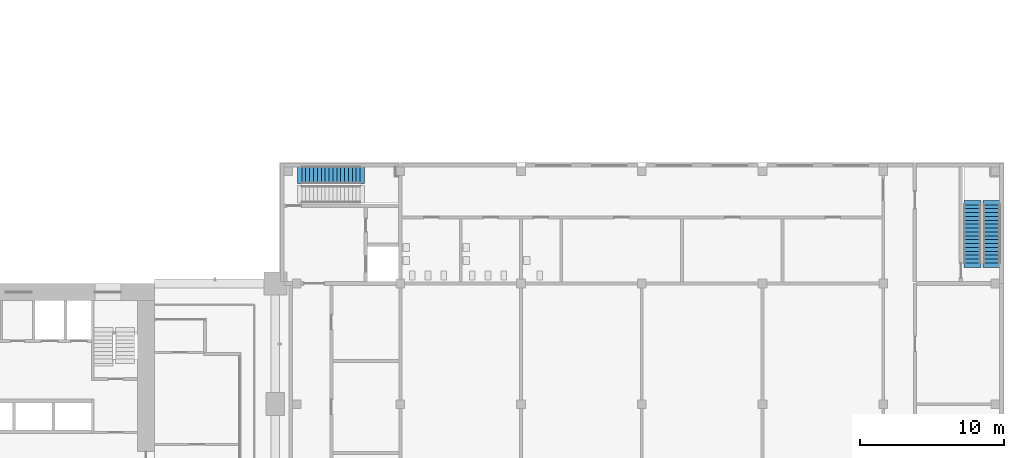
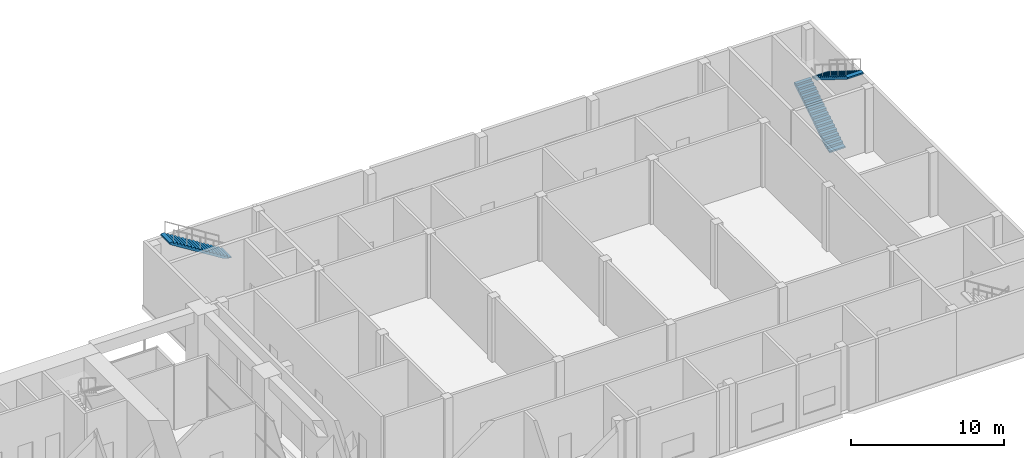
# One storey, part 24 of 33: 3 stair flights, 2 elements without a shape of their own.
"""IFC4 building model written with IfcOpenShell, lengths in metres."""

from ifc_helpers import new_model, si_unit, direction, frame, origin, place, context, subcontext, project, spatial, polyline, outline, extrude, material, type_object, element, aggregate, save


model = new_model("IFC4")

# Units and contexts
model_context = context("Model", 3, precision=1e-05, world=origin(), true_north=direction((0.0, 1.0)))
body_context = subcontext(model_context, "Body", "Model", "MODEL_VIEW")
ifc_project = project(units=[si_unit("LENGTHUNIT", "METRE"), si_unit("AREAUNIT", "SQUARE_METRE"), si_unit("VOLUMEUNIT", "CUBIC_METRE"), si_unit("PLANEANGLEUNIT", "RADIAN"), si_unit("MASSUNIT", "GRAM", prefix="KILO")], contexts=[model_context])

# Site, building, storey
site_placement = place(None, origin())
site = spatial("IfcSite", under=ifc_project, at=site_placement, CompositionType="ELEMENT")
building_placement = place(site_placement, origin())
building = spatial("IfcBuilding", under=site, at=building_placement, Name="Vermilion Gate Residences", CompositionType="ELEMENT")
storey_placement = place(building_placement, frame((0.0, 0.0, 14.39990234375)))
storey = spatial("IfcBuildingStorey", under=building, at=storey_placement, Name="L02", CompositionType="ELEMENT", Elevation=14.39990234375)

# Stair, stair flight
ifc_material_1 = material(Name="Concrete C35", Category="concrete")
stair_type = type_object("IfcStairType", Name="RC STAIR 1200 (MARKET HALL)", PredefinedType="HALF_TURN_STAIR", material=ifc_material_1)
stair_1_placement = place(storey_placement, origin())
stair_1 = element("IfcStair", 1, at=stair_1_placement, inside=storey, type_object=stair_type, Name="Stair STH1-02", PredefinedType="HALF_TURN_STAIR")
ifc_material_2 = material(Name="Concrete C35", Category="concrete")
stair_flight_type = type_object("IfcStairFlightType", Name="RC STAIR FLIGHT 1200 (MARKET HALL)", PredefinedType="STRAIGHT", material=ifc_material_2)
stair_flight_1_placement = place(storey_placement, frame((73.10009765625, 32.75, 2.7001953125), z_axis=(0.0, 0.0, 1.0), x_axis=(-1.0, 0.0, 0.0)))
stair_flight_1 = element("IfcStairFlight", 2, at=stair_flight_1_placement, type_object=stair_flight_type, Name="STH1-02 flight 2", NumberOfRisers=16, NumberOfTreads=15, PredefinedType="STRAIGHT", RiserHeight=0.16875, TreadLength=0.27, context=body_context, shape_type="SweptSolid", body=[
    extrude(outline(polyline([(-0.300048828125, -0.14990234375), (-0.300048828125, -0.030029296875), (0.0, 0.0), (0.0, 0.168701171875), (0.27001953125, 0.168701171875), (0.27001953125, 0.33740234375), (0.5400390625, 0.33740234375), (0.5400390625, 0.50634765625), (0.81005859375, 0.50634765625), (0.81005859375, 0.675048828125), (1.080078125, 0.675048828125), (1.080078125, 0.84375), (1.35009765625, 0.84375), (1.35009765625, 1.012451171875), (1.6201171875, 1.012451171875), (1.6201171875, 1.18115234375), (1.889892578125, 1.18115234375), (1.889892578125, 1.35009765625), (2.159912109375, 1.35009765625), (2.159912109375, 1.518798828125), (2.429931640625, 1.518798828125), (2.429931640625, 1.6875), (2.699951171875, 1.6875), (2.699951171875, 1.856201171875), (2.969970703125, 1.856201171875), (2.969970703125, 2.02490234375), (3.239990234375, 2.02490234375), (3.239990234375, 2.19384765625), (3.510009765625, 2.19384765625), (3.510009765625, 2.362548828125), (3.780029296875, 2.362548828125), (3.780029296875, 2.53125), (4.050048828125, 2.53125), (4.050048828125, 2.699951171875), (4.35009765625, 2.669921875), (4.35009765625, 2.550048828125), (4.050048828125, 2.3544921875), (0.28271484375, 0.0), (-0.300048828125, -0.14990234375)])), frame((0.0, 0.60009765625, 0.0), z_axis=(0.0, -1.0, 0.0), x_axis=(1.0, 0.0, 0.0)), (0.0, 0.0, 1.0), 1.199951171875),
])
aggregate(stair_1, [stair_flight_1])

# Stair, stair flights
stair_2_placement = place(storey_placement, origin())
stair_2 = element("IfcStair", 3, at=stair_2_placement, inside=storey, type_object=stair_type, Name="Stair STH3-02", PredefinedType="HALF_TURN_STAIR")
stair_flight_2_placement = place(storey_placement, frame((115.699951171875, 26.625, 0.0), z_axis=(0.0, 0.0, 1.0), x_axis=(0.0, 1.0, 0.0)))
stair_flight_2 = element("IfcStairFlight", 4, at=stair_flight_2_placement, type_object=stair_flight_type, Name="STH3-02 flight 1", NumberOfRisers=16, NumberOfTreads=15, PredefinedType="STRAIGHT", RiserHeight=0.16875, TreadLength=0.27, context=body_context, shape_type="SweptSolid", body=[
    extrude(outline(polyline([(-0.300048828125, -0.14990234375), (-0.300048828125, -0.030029296875), (0.0, 0.0), (0.0, 0.168701171875), (0.27001953125, 0.168701171875), (0.27001953125, 0.33740234375), (0.5400390625, 0.33740234375), (0.5400390625, 0.50634765625), (0.81005859375, 0.50634765625), (0.81005859375, 0.675048828125), (1.080078125, 0.675048828125), (1.080078125, 0.84375), (1.35009765625, 0.84375), (1.35009765625, 1.012451171875), (1.6201171875, 1.012451171875), (1.6201171875, 1.18115234375), (1.889892578125, 1.18115234375), (1.889892578125, 1.35009765625), (2.159912109375, 1.35009765625), (2.159912109375, 1.518798828125), (2.429931640625, 1.518798828125), (2.429931640625, 1.6875), (2.699951171875, 1.6875), (2.699951171875, 1.856201171875), (2.969970703125, 1.856201171875), (2.969970703125, 2.02490234375), (3.239990234375, 2.02490234375), (3.239990234375, 2.19384765625), (3.510009765625, 2.19384765625), (3.510009765625, 2.362548828125), (3.780029296875, 2.362548828125), (3.780029296875, 2.53125), (4.050048828125, 2.53125), (4.050048828125, 2.699951171875), (4.35009765625, 2.669921875), (4.35009765625, 2.550048828125), (4.050048828125, 2.3544921875), (0.28271484375, 0.0), (-0.300048828125, -0.14990234375)])), frame((0.0, 0.60009765625, 0.0), z_axis=(0.0, -1.0, 0.0), x_axis=(1.0, 0.0, 0.0)), (0.0, 0.0, 1.0), 1.199951171875),
])
stair_flight_3_placement = place(storey_placement, frame((117.050048828125, 30.675048828125, 2.7001953125), z_axis=(0.0, 0.0, 1.0), x_axis=(0.0, -1.0, 0.0)))
stair_flight_3 = element("IfcStairFlight", 5, at=stair_flight_3_placement, type_object=stair_flight_type, Name="STH3-02 flight 2", NumberOfRisers=16, NumberOfTreads=15, PredefinedType="STRAIGHT", RiserHeight=0.16875, TreadLength=0.27, context=body_context, shape_type="SweptSolid", body=[
    extrude(outline(polyline([(-0.300048828125, -0.14990234375), (-0.300048828125, -0.030029296875), (0.0, 0.0), (0.0, 0.168701171875), (0.27001953125, 0.168701171875), (0.27001953125, 0.33740234375), (0.5400390625, 0.33740234375), (0.5400390625, 0.50634765625), (0.81005859375, 0.50634765625), (0.81005859375, 0.675048828125), (1.080078125, 0.675048828125), (1.080078125, 0.84375), (1.35009765625, 0.84375), (1.35009765625, 1.012451171875), (1.6201171875, 1.012451171875), (1.6201171875, 1.18115234375), (1.889892578125, 1.18115234375), (1.889892578125, 1.35009765625), (2.159912109375, 1.35009765625), (2.159912109375, 1.518798828125), (2.429931640625, 1.518798828125), (2.429931640625, 1.6875), (2.699951171875, 1.6875), (2.699951171875, 1.856201171875), (2.969970703125, 1.856201171875), (2.969970703125, 2.02490234375), (3.239990234375, 2.02490234375), (3.239990234375, 2.19384765625), (3.510009765625, 2.19384765625), (3.510009765625, 2.362548828125), (3.780029296875, 2.362548828125), (3.780029296875, 2.53125), (4.050048828125, 2.53125), (4.050048828125, 2.699951171875), (4.35009765625, 2.669921875), (4.35009765625, 2.550048828125), (4.050048828125, 2.3544921875), (0.28271484375, 0.0), (-0.300048828125, -0.14990234375)])), frame((0.0, 0.60009765625, 0.0), z_axis=(0.0, -1.0, 0.0), x_axis=(1.0, 0.0, 0.0)), (0.0, 0.0, 1.0), 1.199951171875),
])
aggregate(stair_2, [stair_flight_2, stair_flight_3])

save(model, "model.ifc")
